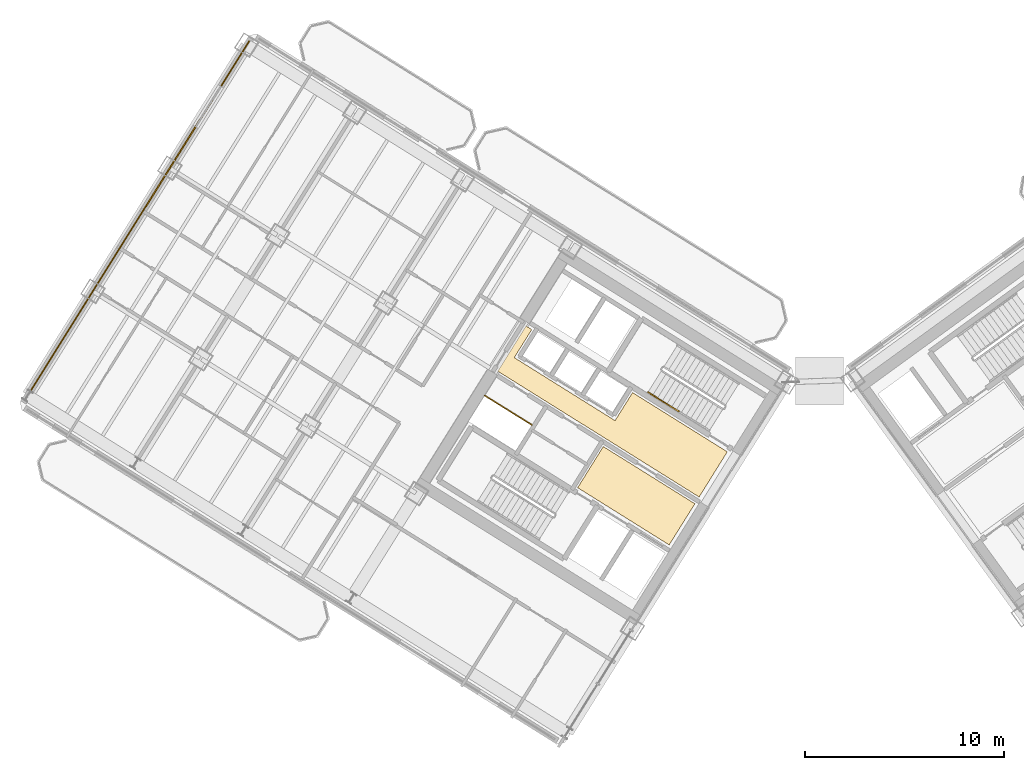
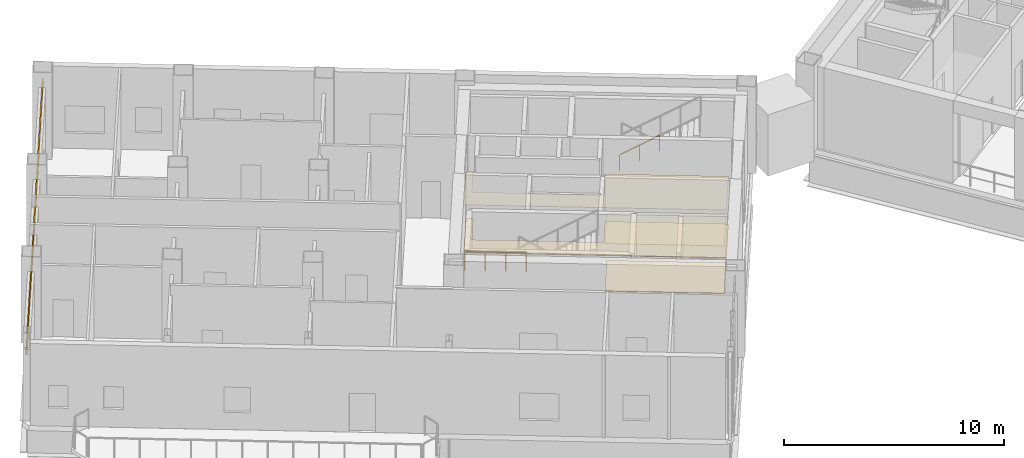
# One storey, part 18 of 22: 5 coverings, 2 railings.
"""IFC4 building model written with IfcOpenShell, lengths in metres."""

from ifc_helpers import new_model, si_unit, direction, frame, origin, origin_2d, place, context, subcontext, project, spatial, polyline, rectangle, outline, extrude, source, transform, mapped, material, layer, layer_set, type_object, element, save


model = new_model("IFC4")

# Units and contexts
model_context = context("Model", 3, precision=1e-05, world=origin(), true_north=direction((0.0, 1.0)))
body_context = subcontext(model_context, "Body", "Model", "MODEL_VIEW")
ifc_project = project(units=[si_unit("LENGTHUNIT", "METRE"), si_unit("AREAUNIT", "SQUARE_METRE"), si_unit("VOLUMEUNIT", "CUBIC_METRE"), si_unit("PLANEANGLEUNIT", "RADIAN"), si_unit("MASSUNIT", "GRAM", prefix="KILO")], contexts=[model_context])

# Site, building, storey
site_placement = place(None, origin())
site = spatial("IfcSite", under=ifc_project, at=site_placement, CompositionType="ELEMENT")
building_placement = place(site_placement, origin())
building = spatial("IfcBuilding", under=site, at=building_placement, Name="Tlacorven Tower", CompositionType="ELEMENT")
storey_placement = place(building_placement, frame((0.0, 0.0, 127.800048828125)))
storey = spatial("IfcBuildingStorey", under=building, at=storey_placement, Name="L32", CompositionType="ELEMENT", Elevation=127.800048828125)

# Coverings
ifc_material_1 = material(Name="Acoustic mineral-fibre ceiling")
ifc_layer_1 = layer(ifc_material_1, 0.02490234375)
ifc_layer_set_1 = layer_set([ifc_layer_1], Name="Acoustic mineral-fibre ceiling")
covering_type_1 = type_object("IfcCoveringType", Name="CV-CLG-ACST", PredefinedType="CEILING", material=ifc_layer_set_1)
covering_1_placement = place(storey_placement, frame((0.0, 0.0, 2.64990234375)))
element("IfcCovering", 1, at=covering_1_placement, inside=storey, type_object=covering_type_1, Name="L32 Acoustic Suspended Ceiling 1", PredefinedType="CEILING", context=body_context, shape_type="SweptSolid", body=[
    extrude(outline(polyline([(36.185302734375, 18.35595703125), (34.892333984375, 16.286865234375), (30.287353515625, 19.164306640625), (31.580322265625, 21.2333984375), (36.185302734375, 18.35595703125)])), origin(), (0.0, 0.0, 1.0), 0.025146484375),
])
covering_2_placement = place(storey_placement, frame((0.0, 0.0, 2.64990234375)))
element("IfcCovering", 2, at=covering_2_placement, inside=storey, type_object=covering_type_1, Name="L32 Acoustic Suspended Ceiling 2", PredefinedType="CEILING", context=body_context, shape_type="SweptSolid", body=[
    extrude(outline(polyline([(37.8173828125, 20.968017578125), (36.397216796875, 18.6953125), (26.271484375, 25.0224609375), (27.691650390625, 27.295166015625), (27.97998046875, 27.114990234375), (27.100341796875, 25.707275390625), (32.171630859375, 22.538330078125), (33.05126953125, 23.946044921875), (37.8173828125, 20.968017578125)])), origin(), (0.0, 0.0, 1.0), 0.025146484375),
])
ifc_material_2 = material(Name="Terrazzo and ceramic flooring")
ifc_layer_2 = layer(ifc_material_2, 0.0400390625)
ifc_layer_set_2 = layer_set([ifc_layer_2], Name="Terrazzo and ceramic flooring")
covering_type_2 = type_object("IfcCoveringType", Name="CV-FLR-TERZ", PredefinedType="FLOORING", material=ifc_layer_set_2)
covering_3_placement = place(storey_placement, origin())
element("IfcCovering", 3, at=covering_3_placement, inside=storey, type_object=covering_type_2, Name="L32 Terrazzo Floor Finish 1", PredefinedType="FLOORING", context=body_context, shape_type="SweptSolid", body=[
    extrude(outline(polyline([(36.185302734375, 18.35595703125), (34.892333984375, 16.286865234375), (30.287353515625, 19.164306640625), (31.580322265625, 21.2333984375), (36.185302734375, 18.35595703125)])), origin(), (0.0, 0.0, 1.0), 0.0400390625),
])
covering_4_placement = place(storey_placement, origin())
element("IfcCovering", 4, at=covering_4_placement, inside=storey, type_object=covering_type_2, Name="L32 Terrazzo Floor Finish 2", PredefinedType="FLOORING", context=body_context, shape_type="SweptSolid", body=[
    extrude(outline(polyline([(37.8173828125, 20.968017578125), (36.397216796875, 18.6953125), (26.271484375, 25.0224609375), (27.691650390625, 27.295166015625), (27.97998046875, 27.114990234375), (27.100341796875, 25.707275390625), (32.171630859375, 22.538330078125), (33.05126953125, 23.946044921875), (37.8173828125, 20.968017578125)])), origin(), (0.0, 0.0, 1.0), 0.0400390625),
])

# Railing
ifc_material_3 = material(Name="Aluminium and painted steel balustrade", Category="steel")
railing_type_1 = type_object("IfcRailingType", Name="RL-GRD-1100", PredefinedType="GUARDRAIL", material=ifc_material_3)
shared_shape_1 = source(origin(), body_context, "Body", "SweptSolid", [
    extrude(rectangle(XDim=0.048095703125, YDim=0.048095703125, at=origin_2d()), frame((0.0, 0.0, 1.076171875), z_axis=(-0.848091358275, 0.529850024081, 0.0), x_axis=(-0.529850024081, -0.848091358275, 0.0)), (0.0, 0.0, 1.0), 2.800048828125),
    extrude(rectangle(XDim=0.0419921875, YDim=0.0419921875, at=origin_2d()), origin(), (0.0, 0.0, 1.0), 1.052001953125),
    extrude(rectangle(XDim=0.0419921875, YDim=0.0419921875, at=origin_2d()), frame((-0.79150390625, 0.49462890625, 0.0)), (0.0, 0.0, 1.0), 1.052001953125),
    extrude(rectangle(XDim=0.0419921875, YDim=0.0419921875, at=origin_2d()), frame((-1.583251953125, 0.989013671875, 0.0)), (0.0, 0.0, 1.0), 1.052001953125),
    extrude(rectangle(XDim=0.0419921875, YDim=0.0419921875, at=origin_2d()), frame((-2.374755859375, 1.483642578125, 0.0)), (0.0, 0.0, 1.0), 1.052001953125),
])
railing_1_placement = place(storey_placement, frame((27.9912109375, 22.32080078125, 0.0)))
element("IfcRailing", 5, at=railing_1_placement, inside=storey, type_object=railing_type_1, Name="L32 Electrical Riser W Shaft Guard 1", PredefinedType="GUARDRAIL", context=body_context, shape_type="MappedRepresentation", body=[
    mapped(shared_shape_1, transform((0.0, 0.0, 0.0), scale=1.0)),
])

# Covering
ifc_material_4 = material(Name="Precast concrete C45/55", Category="concrete")
ifc_layer_3 = layer(ifc_material_4, 0.06005859375)
ifc_layer_set_3 = layer_set([ifc_layer_3], Name="Precast concrete C45/55")
covering_type_3 = type_object("IfcCoveringType", Name="CV-CLD-TERC", PredefinedType="CLADDING", material=ifc_layer_set_3)
shared_shape_2 = source(origin(), body_context, "Body", "SweptSolid", [
    extrude(rectangle(XDim=21.287353515625, YDim=0.06005859375, at=origin_2d()), origin(), (0.0, 0.0, 1.0), 0.419921875),
])
covering_5_placement = place(storey_placement, frame((8.13427734375, 32.606201171875, 3.554931640625), z_axis=(0.0, 0.0, 1.0), x_axis=(0.529918940959, 0.84804829816, 0.0)))
element("IfcCovering", 6, at=covering_5_placement, inside=storey, type_object=covering_type_3, Name="L32 Masonry-Frame Spandrel Cladding 2", PredefinedType="CLADDING", context=body_context, shape_type="MappedRepresentation", body=[
    mapped(shared_shape_2, transform((0.0, 0.0, 0.0), scale=1.0)),
])

# Railing
railing_type_2 = type_object("IfcRailingType", Name="RL-HND-0900", PredefinedType="HANDRAIL", material=ifc_material_3)
shared_shape_3 = source(origin(), body_context, "Body", "SweptSolid", [
    extrude(rectangle(XDim=0.048095703125, YDim=0.048095703125, at=origin_2d()), frame((0.0, 0.0, 0.8759765625), z_axis=(0.723280932889, -0.45190757433, 0.522153460567), x_axis=(0.529878353595, 0.848073658589, 0.0)), (0.0, 0.0, 1.0), 2.134033203125),
    extrude(rectangle(XDim=0.0419921875, YDim=0.0419921875, at=origin_2d()), origin(), (0.0, 0.0, 1.0), 0.851806640625),
    extrude(rectangle(XDim=0.0419921875, YDim=0.0419921875, at=origin_2d()), frame((0.771728515625, -0.482177734375, 0.55712890625)), (0.0, 0.0, 1.0), 0.851806640625),
    extrude(rectangle(XDim=0.0419921875, YDim=0.0419921875, at=origin_2d()), frame((1.54345703125, -0.96435546875, 1.1142578125)), (0.0, 0.0, 1.0), 0.851806640625),
])
railing_2_placement = place(storey_placement, frame((33.83056640625, 23.96630859375, 2.5712890625)))
element("IfcRailing", 7, at=railing_2_placement, inside=storey, type_object=railing_type_2, Name="L32 ST-W2 stair handrail 3", PredefinedType="HANDRAIL", context=body_context, shape_type="MappedRepresentation", body=[
    mapped(shared_shape_3, transform((0.0, 0.0, 0.0), scale=1.0)),
])

save(model, "model.ifc")
